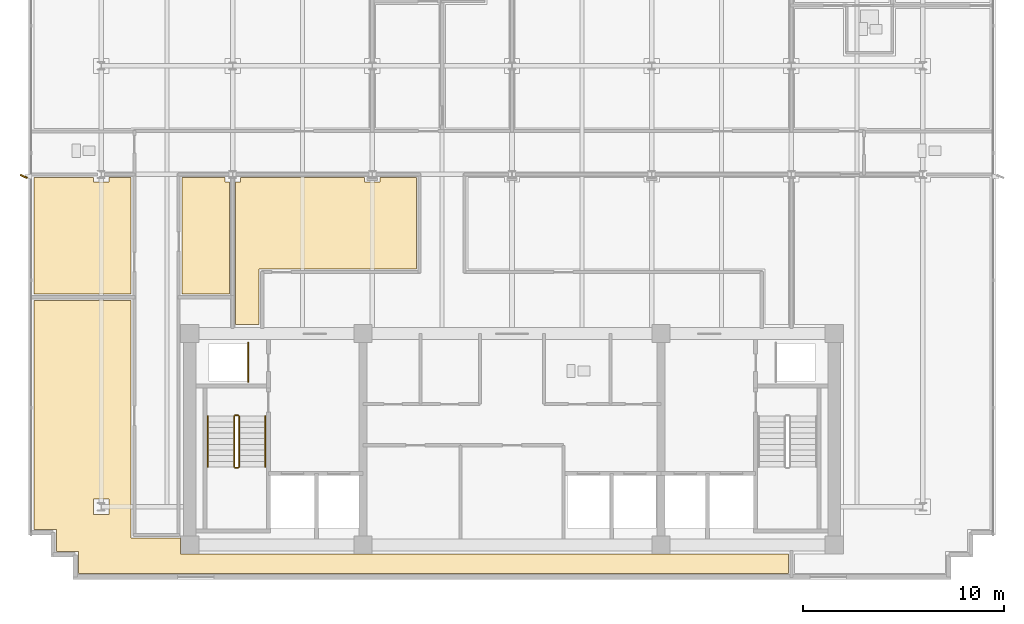
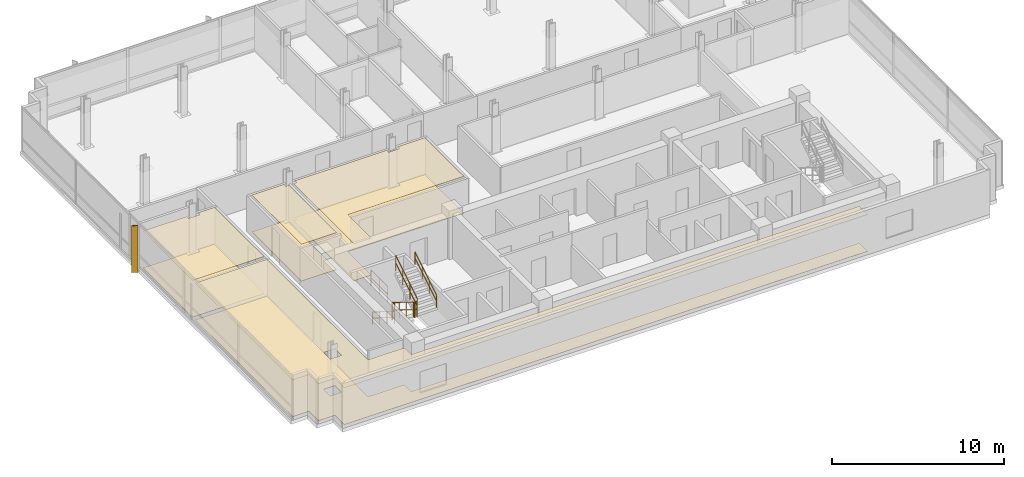
# One storey, part 14 of 18: 8 coverings, 7 railings, 1 shading device.
"""IFC4 building model written with IfcOpenShell, lengths in metres."""

from ifc_helpers import new_model, si_unit, direction, frame, origin, origin_2d, place, context, subcontext, project, spatial, polyline, rectangle, circle, outline, extrude, material, layer, layer_set, type_object, element, save


model = new_model("IFC4")

# Units and contexts
model_context = context("Model", 3, precision=1e-05, world=origin(), true_north=direction((0.0, 1.0)))
body_context = subcontext(model_context, "Body", "Model", "MODEL_VIEW")
ifc_project = project(units=[si_unit("LENGTHUNIT", "METRE"), si_unit("AREAUNIT", "SQUARE_METRE"), si_unit("VOLUMEUNIT", "CUBIC_METRE"), si_unit("PLANEANGLEUNIT", "RADIAN"), si_unit("MASSUNIT", "GRAM", prefix="KILO")], contexts=[model_context])

# Site, building, storey
site_placement = place(None, origin())
site = spatial("IfcSite", under=ifc_project, at=site_placement, CompositionType="ELEMENT")
building_placement = place(site_placement, origin())
building = spatial("IfcBuilding", under=site, at=building_placement, Name="Solmavex Isthmus Hotel", CompositionType="ELEMENT")
storey_placement = place(building_placement, frame((0.0, 0.0, 283.35009765625)))
storey = spatial("IfcBuildingStorey", under=building, at=storey_placement, Name="L77", CompositionType="ELEMENT", Elevation=283.35009765625)

# Coverings
ifc_material_1 = material(Name="Gypsum plasterboard lining", Category="gypsum")
ifc_layer_1 = layer(ifc_material_1, 0.030029296875)
ifc_layer_set_1 = layer_set([ifc_layer_1], Name="Gypsum plasterboard lining")
covering_type_1 = type_object("IfcCoveringType", Name="COV-CEIL-GYP", PredefinedType="CEILING", material=ifc_layer_set_1)
covering_1_placement = place(storey_placement, frame((0.0, 0.0, 2.619873046875)))
element("IfcCovering", 1, at=covering_1_placement, inside=storey, type_object=covering_type_1, Name="Suspended Acoustic Ceiling L77-FL07", PredefinedType="CEILING", context=body_context, shape_type="SweptSolid", body=[
    extrude(outline(polyline([(-14.027099609375, 5.02001953125), (-14.251953125, 5.02001953125), (-14.251953125, 5.2451171875), (-16.39501953125, 5.2451171875), (-16.39501953125, -0.544921875), (-14.027099609375, -0.544921875), (-14.027099609375, 5.02001953125)])), origin(), (0.0, 0.0, 1.0), 0.030029296875),
])
covering_2_placement = place(storey_placement, frame((0.0, 0.0, 2.619873046875)))
element("IfcCovering", 2, at=covering_2_placement, inside=storey, type_object=covering_type_1, Name="Suspended Acoustic Ceiling L77-FL08", PredefinedType="CEILING", context=body_context, shape_type="SweptSolid", body=[
    extrude(outline(polyline([(-20.02001953125, 5.2451171875), (-20.02001953125, 5.02001953125), (-20.780029296875, 5.02001953125), (-20.780029296875, 5.2451171875), (-23.72509765625, 5.2451171875), (-23.72509765625, -0.544921875), (-18.905029296875, -0.544921875), (-18.905029296875, 5.2451171875), (-20.02001953125, 5.2451171875)])), origin(), (0.0, 0.0, 1.0), 0.030029296875),
])
covering_3_placement = place(storey_placement, frame((0.0, 0.0, 2.619873046875)))
element("IfcCovering", 3, at=covering_3_placement, inside=storey, type_object=covering_type_1, Name="Suspended Acoustic Ceiling L77-FL09", PredefinedType="CEILING", context=body_context, shape_type="SweptSolid", body=[
    extrude(outline(polyline([(-6.555908203125, 5.2451171875), (-6.555908203125, 5.02001953125), (-7.31591796875, 5.02001953125), (-7.31591796875, 5.2451171875), (-13.491943359375, 5.2451171875), (-13.491943359375, 5.02001953125), (-13.717041015625, 5.02001953125), (-13.717041015625, -2.044921875), (-12.554931640625, -2.044921875), (-12.554931640625, 0.705078125), (-4.742919921875, 0.705078125), (-4.742919921875, 5.2451171875), (-6.555908203125, 5.2451171875)])), origin(), (0.0, 0.0, 1.0), 0.030029296875),
])
covering_4_placement = place(storey_placement, frame((0.0, 0.0, 2.619873046875)))
element("IfcCovering", 4, at=covering_4_placement, inside=storey, type_object=covering_type_1, Name="Suspended Acoustic Ceiling L77-FL11", PredefinedType="CEILING", context=body_context, shape_type="SweptSolid", body=[
    extrude(outline(polyline([(-16.455078125, -12.655029296875), (-18.905029296875, -12.655029296875), (-18.905029296875, -0.85498046875), (-23.72509765625, -0.85498046875), (-23.72509765625, -12.22509765625), (-22.625, -12.22509765625), (-22.625, -13.324951171875), (-21.52490234375, -13.324951171875), (-21.52490234375, -14.425048828125), (13.717041015625, -14.425048828125), (13.717041015625, -13.455078125), (-16.455078125, -13.455078125), (-16.455078125, -12.655029296875)]), holes=[polyline([(-20.780029296875, -11.47998046875), (-20.780029296875, -10.719970703125), (-20.02001953125, -10.719970703125), (-20.02001953125, -11.47998046875), (-20.780029296875, -11.47998046875)])]), origin(), (0.0, 0.0, 1.0), 0.030029296875),
])
ifc_material_2 = material(Name="Travertine natural stone", Category="masonry")
ifc_layer_2 = layer(ifc_material_2, 0.02490234375)
ifc_layer_set_2 = layer_set([ifc_layer_2], Name="Travertine natural stone")
covering_type_2 = type_object("IfcCoveringType", Name="COV-FLOR-STN", PredefinedType="FLOORING", material=ifc_layer_set_2)
covering_5_placement = place(storey_placement, origin())
element("IfcCovering", 5, at=covering_5_placement, inside=storey, type_object=covering_type_2, Name="Stone and Timber Floor Finish L77-FL07", PredefinedType="FLOORING", context=body_context, shape_type="SweptSolid", body=[
    extrude(outline(polyline([(-14.027099609375, 5.02001953125), (-14.251953125, 5.02001953125), (-14.251953125, 5.2451171875), (-16.39501953125, 5.2451171875), (-16.39501953125, -0.544921875), (-14.027099609375, -0.544921875), (-14.027099609375, 5.02001953125)])), origin(), (0.0, 0.0, 1.0), 0.02490234375),
])
covering_6_placement = place(storey_placement, origin())
element("IfcCovering", 6, at=covering_6_placement, inside=storey, type_object=covering_type_2, Name="Stone and Timber Floor Finish L77-FL08", PredefinedType="FLOORING", context=body_context, shape_type="SweptSolid", body=[
    extrude(outline(polyline([(-20.02001953125, 5.2451171875), (-20.02001953125, 5.02001953125), (-20.780029296875, 5.02001953125), (-20.780029296875, 5.2451171875), (-23.72509765625, 5.2451171875), (-23.72509765625, -0.544921875), (-18.905029296875, -0.544921875), (-18.905029296875, 5.2451171875), (-20.02001953125, 5.2451171875)])), origin(), (0.0, 0.0, 1.0), 0.02490234375),
])
covering_7_placement = place(storey_placement, origin())
element("IfcCovering", 7, at=covering_7_placement, inside=storey, type_object=covering_type_2, Name="Stone and Timber Floor Finish L77-FL09", PredefinedType="FLOORING", context=body_context, shape_type="SweptSolid", body=[
    extrude(outline(polyline([(-6.555908203125, 5.2451171875), (-6.555908203125, 5.02001953125), (-7.31591796875, 5.02001953125), (-7.31591796875, 5.2451171875), (-13.491943359375, 5.2451171875), (-13.491943359375, 5.02001953125), (-13.717041015625, 5.02001953125), (-13.717041015625, -2.044921875), (-12.554931640625, -2.044921875), (-12.554931640625, 0.705078125), (-4.742919921875, 0.705078125), (-4.742919921875, 5.2451171875), (-6.555908203125, 5.2451171875)])), origin(), (0.0, 0.0, 1.0), 0.02490234375),
])
covering_8_placement = place(storey_placement, origin())
element("IfcCovering", 8, at=covering_8_placement, inside=storey, type_object=covering_type_2, Name="Stone and Timber Floor Finish L77-FL11", PredefinedType="FLOORING", context=body_context, shape_type="SweptSolid", body=[
    extrude(outline(polyline([(-16.455078125, -12.655029296875), (-18.905029296875, -12.655029296875), (-18.905029296875, -0.85498046875), (-23.72509765625, -0.85498046875), (-23.72509765625, -12.22509765625), (-22.625, -12.22509765625), (-22.625, -13.324951171875), (-21.52490234375, -13.324951171875), (-21.52490234375, -14.425048828125), (13.717041015625, -14.425048828125), (13.717041015625, -13.455078125), (-16.455078125, -13.455078125), (-16.455078125, -12.655029296875)]), holes=[polyline([(-20.780029296875, -11.47998046875), (-20.780029296875, -10.719970703125), (-20.02001953125, -10.719970703125), (-20.02001953125, -11.47998046875), (-20.780029296875, -11.47998046875)])]), origin(), (0.0, 0.0, 1.0), 0.02490234375),
])

# Railings
ifc_material_3 = material(Name="Clear low-E laminated glass", Category="glass")
ifc_layer_3 = layer(ifc_material_3, 0.080078125)
ifc_layer_set_3 = layer_set([ifc_layer_3], Name="Clear low-E laminated glass")
railing_type_1 = type_object("IfcRailingType", Name="RAIL-ATRIUM-1120", PredefinedType="BALUSTRADE", material=ifc_layer_set_3)
railing_1_placement = place(storey_placement, frame((-13.10009765625, -4.89990234375, 0.0)))
element("IfcRailing", 9, at=railing_1_placement, inside=storey, type_object=railing_type_1, Name="Guardrail Balustrade L77-RSW-01", PredefinedType="BALUSTRADE", context=body_context, shape_type="SweptSolid", body=[
    extrude(circle(Radius=0.02392578125, at=origin_2d()), frame((0.0, 0.0, 1.1259765625), z_axis=(0.0, 1.0, 0.0), x_axis=(-1.0, 0.0, 0.0)), (0.0, 0.0, 1.0), 1.949951171875),
    extrude(circle(Radius=0.02392578125, at=origin_2d()), frame((0.0, 0.0, 0.574951171875), z_axis=(0.0, 1.0, 0.0), x_axis=(-1.0, 0.0, 0.0)), (0.0, 0.0, 1.0), 1.949951171875),
    extrude(circle(Radius=0.02099609375, at=origin_2d()), origin(), (0.0, 0.0, 1.0), 1.101806640625),
    extrude(circle(Radius=0.02099609375, at=origin_2d()), frame((0.0, 0.97509765625, 0.0)), (0.0, 0.0, 1.0), 1.101806640625),
    extrude(circle(Radius=0.02099609375, at=origin_2d()), frame((0.0, 1.949951171875, 0.0)), (0.0, 0.0, 1.0), 1.101806640625),
])
ifc_material_4 = material(Name="Stainless steel 316", Category="steel")
ifc_layer_4 = layer(ifc_material_4, 0.06005859375)
ifc_layer_set_4 = layer_set([ifc_layer_4], Name="Stainless steel 316")
railing_type_2 = type_object("IfcRailingType", Name="RAIL-STAIR-GD", PredefinedType="GUARDRAIL", material=ifc_layer_set_4)
railing_2_placement = place(storey_placement, frame((-13.800048828125, -6.60009765625, 0.17236328125)))
element("IfcRailing", 10, at=railing_2_placement, inside=storey, type_object=railing_type_2, Name="L77 ST-1 stair guard 1", PredefinedType="GUARDRAIL", context=body_context, shape_type="SweptSolid", body=[
    extrude(circle(Radius=0.02392578125, at=origin_2d()), frame((0.0, 0.0, 1.09619140625), z_axis=(0.0, -0.851400495292, 0.524516154772), x_axis=(1.0, 0.0, 0.0)), (0.0, 0.0, 1.0), 2.9599609375),
    extrude(circle(Radius=0.02392578125, at=origin_2d()), frame((0.0, 0.0, 0.56005859375), z_axis=(0.0, -0.851400495292, 0.524516154772), x_axis=(1.0, 0.0, 0.0)), (0.0, 0.0, 1.0), 2.9599609375),
    extrude(circle(Radius=0.02099609375, at=origin_2d()), origin(), (0.0, 0.0, 1.0), 1.072021484375),
    extrude(circle(Radius=0.02099609375, at=origin_2d()), frame((0.0, -0.840087890625, 0.517578125)), (0.0, 0.0, 1.0), 1.072021484375),
    extrude(circle(Radius=0.02099609375, at=origin_2d()), frame((0.0, -1.679931640625, 1.034912109375)), (0.0, 0.0, 1.0), 1.072021484375),
    extrude(circle(Radius=0.02099609375, at=origin_2d()), frame((0.0, -2.52001953125, 1.552490234375)), (0.0, 0.0, 1.0), 1.072021484375),
])
railing_3_placement = place(storey_placement, frame((-13.75, -9.169921875, 1.724853515625)))
element("IfcRailing", 11, at=railing_3_placement, inside=storey, type_object=railing_type_2, Name="L77 ST-1 stair guard 2", PredefinedType="GUARDRAIL", context=body_context, shape_type="SweptSolid", body=[
    extrude(circle(Radius=0.02392578125, at=origin_2d()), frame((0.0, 0.0, 1.09619140625), z_axis=(1.0, 0.0, 0.0), x_axis=(0.0, 1.0, 0.0)), (0.0, 0.0, 1.0), 0.14990234375),
    extrude(circle(Radius=0.02392578125, at=origin_2d()), frame((0.0, 0.0, 0.56005859375), z_axis=(1.0, 0.0, 0.0), x_axis=(0.0, 1.0, 0.0)), (0.0, 0.0, 1.0), 0.14990234375),
    extrude(circle(Radius=0.02099609375, at=origin_2d()), origin(), (0.0, 0.0, 1.0), 1.072021484375),
    extrude(circle(Radius=0.02099609375, at=origin_2d()), frame((0.14990234375, 0.0, 0.0)), (0.0, 0.0, 1.0), 1.072021484375),
])
railing_4_placement = place(storey_placement, frame((-13.550048828125, -9.1201171875, 1.8974609375)))
element("IfcRailing", 12, at=railing_4_placement, inside=storey, type_object=railing_type_2, Name="L77 ST-1 stair guard 3", PredefinedType="GUARDRAIL", context=body_context, shape_type="SweptSolid", body=[
    extrude(circle(Radius=0.02392578125, at=origin_2d()), frame((0.0, 0.0, 1.09619140625), z_axis=(0.0, 0.851400495292, 0.524516154772), x_axis=(-1.0, 0.0, 0.0)), (0.0, 0.0, 1.0), 2.9599609375),
    extrude(circle(Radius=0.02392578125, at=origin_2d()), frame((0.0, 0.0, 0.56005859375), z_axis=(0.0, 0.851400495292, 0.524516154772), x_axis=(-1.0, 0.0, 0.0)), (0.0, 0.0, 1.0), 2.9599609375),
    extrude(circle(Radius=0.02099609375, at=origin_2d()), origin(), (0.0, 0.0, 1.0), 1.072021484375),
    extrude(circle(Radius=0.02099609375, at=origin_2d()), frame((0.0, 0.840087890625, 0.517578125)), (0.0, 0.0, 1.0), 1.072021484375),
    extrude(circle(Radius=0.02099609375, at=origin_2d()), frame((0.0, 1.679931640625, 1.034912109375)), (0.0, 0.0, 1.0), 1.072021484375),
    extrude(circle(Radius=0.02099609375, at=origin_2d()), frame((0.0, 2.52001953125, 1.552490234375)), (0.0, 0.0, 1.0), 1.072021484375),
])
railing_5_placement = place(storey_placement, frame((-13.75, -6.550048828125, 0.0)))
element("IfcRailing", 13, at=railing_5_placement, inside=storey, type_object=railing_type_2, Name="L77 ST-1 stair guard 4", PredefinedType="GUARDRAIL", context=body_context, shape_type="SweptSolid", body=[
    extrude(circle(Radius=0.02392578125, at=origin_2d()), frame((0.0, 0.0, 1.09619140625), z_axis=(1.0, 0.0, 0.0), x_axis=(0.0, 1.0, 0.0)), (0.0, 0.0, 1.0), 0.14990234375),
    extrude(circle(Radius=0.02392578125, at=origin_2d()), frame((0.0, 0.0, 0.56005859375), z_axis=(1.0, 0.0, 0.0), x_axis=(0.0, 1.0, 0.0)), (0.0, 0.0, 1.0), 0.14990234375),
    extrude(circle(Radius=0.02099609375, at=origin_2d()), origin(), (0.0, 0.0, 1.0), 1.072021484375),
    extrude(circle(Radius=0.02099609375, at=origin_2d()), frame((0.14990234375, 0.0, 0.0)), (0.0, 0.0, 1.0), 1.072021484375),
])
ifc_layer_5 = layer(ifc_material_4, 0.050048828125)
ifc_layer_set_5 = layer_set([ifc_layer_5], Name="Stainless steel 316")
railing_type_3 = type_object("IfcRailingType", Name="RAIL-STAIR-HR", PredefinedType="HANDRAIL", material=ifc_layer_set_5)
railing_6_placement = place(storey_placement, frame((-15.10009765625, -6.60009765625, 0.17236328125)))
element("IfcRailing", 14, at=railing_6_placement, inside=storey, type_object=railing_type_3, Name="L77 ST-1 stair handrail 1", PredefinedType="HANDRAIL", context=body_context, shape_type="SweptSolid", body=[
    extrude(circle(Radius=0.02392578125, at=origin_2d()), frame((0.0, 0.0, 0.8759765625), z_axis=(0.0, -0.851400495292, 0.524516154772), x_axis=(1.0, 0.0, 0.0)), (0.0, 0.0, 1.0), 2.9599609375),
    extrude(circle(Radius=0.02392578125, at=origin_2d()), frame((0.0, 0.0, 0.449951171875), z_axis=(0.0, -0.851400495292, 0.524516154772), x_axis=(1.0, 0.0, 0.0)), (0.0, 0.0, 1.0), 2.9599609375),
    extrude(circle(Radius=0.02099609375, at=origin_2d()), origin(), (0.0, 0.0, 1.0), 0.851806640625),
    extrude(circle(Radius=0.02099609375, at=origin_2d()), frame((0.0, -0.840087890625, 0.517578125)), (0.0, 0.0, 1.0), 0.851806640625),
    extrude(circle(Radius=0.02099609375, at=origin_2d()), frame((0.0, -1.679931640625, 1.034912109375)), (0.0, 0.0, 1.0), 0.851806640625),
    extrude(circle(Radius=0.02099609375, at=origin_2d()), frame((0.0, -2.52001953125, 1.552490234375)), (0.0, 0.0, 1.0), 0.851806640625),
])
railing_7_placement = place(storey_placement, frame((-12.25, -9.1201171875, 1.8974609375)))
element("IfcRailing", 15, at=railing_7_placement, inside=storey, type_object=railing_type_3, Name="L77 ST-1 stair handrail 2", PredefinedType="HANDRAIL", context=body_context, shape_type="SweptSolid", body=[
    extrude(circle(Radius=0.02392578125, at=origin_2d()), frame((0.0, 0.0, 0.8759765625), z_axis=(0.0, 0.851400495292, 0.524516154772), x_axis=(-1.0, 0.0, 0.0)), (0.0, 0.0, 1.0), 2.9599609375),
    extrude(circle(Radius=0.02392578125, at=origin_2d()), frame((0.0, 0.0, 0.449951171875), z_axis=(0.0, 0.851400495292, 0.524516154772), x_axis=(-1.0, 0.0, 0.0)), (0.0, 0.0, 1.0), 2.9599609375),
    extrude(circle(Radius=0.02099609375, at=origin_2d()), origin(), (0.0, 0.0, 1.0), 0.851806640625),
    extrude(circle(Radius=0.02099609375, at=origin_2d()), frame((0.0, 0.840087890625, 0.517578125)), (0.0, 0.0, 1.0), 0.851806640625),
    extrude(circle(Radius=0.02099609375, at=origin_2d()), frame((0.0, 1.679931640625, 1.034912109375)), (0.0, 0.0, 1.0), 0.851806640625),
    extrude(circle(Radius=0.02099609375, at=origin_2d()), frame((0.0, 2.52001953125, 1.552490234375)), (0.0, 0.0, 1.0), 0.851806640625),
])

# Shading device
ifc_material_5 = material(Name="Aluminium alloy 6063-T6", Category="aluminium")
shading_device_type = type_object("IfcShadingDeviceType", Name="SHD-FIN-CHAMP", PredefinedType="USERDEFINED", material=ifc_material_5)
shading_device_placement = place(storey_placement, frame((-24.239990234375, 5.300048828125, -0.14013671875), z_axis=(0.0, 0.0, 1.0), x_axis=(-0.913545457643, 0.406736643076, 0.0)))
element("IfcShadingDevice", 16, at=shading_device_placement, inside=storey, type_object=shading_device_type, Name="Anodised Aluminium Solar Fin L77-W1", ObjectType="SOLAR_FIN", PredefinedType="USERDEFINED", context=body_context, shape_type="SweptSolid", body=[
    extrude(rectangle(XDim=0.3798828125, YDim=0.070068359375, at=origin_2d()), origin(), (0.0, 0.0, 1.0), 3.330078125),
])

save(model, "model.ifc")
